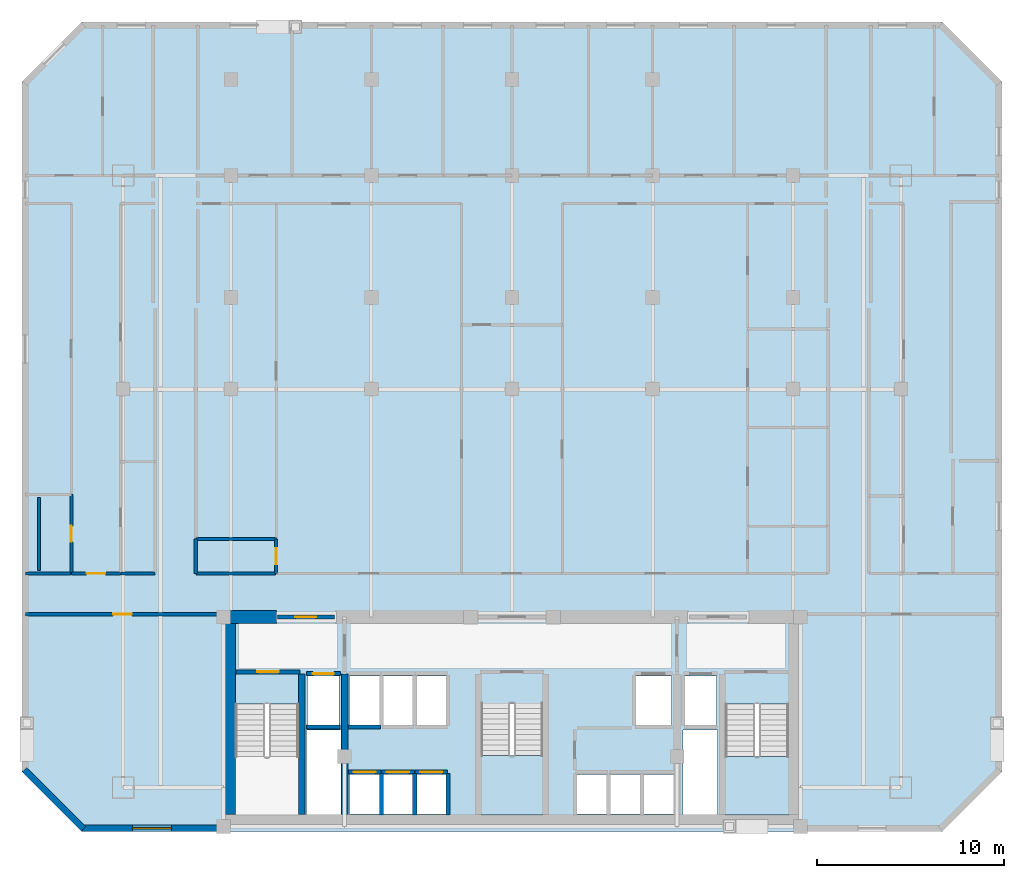
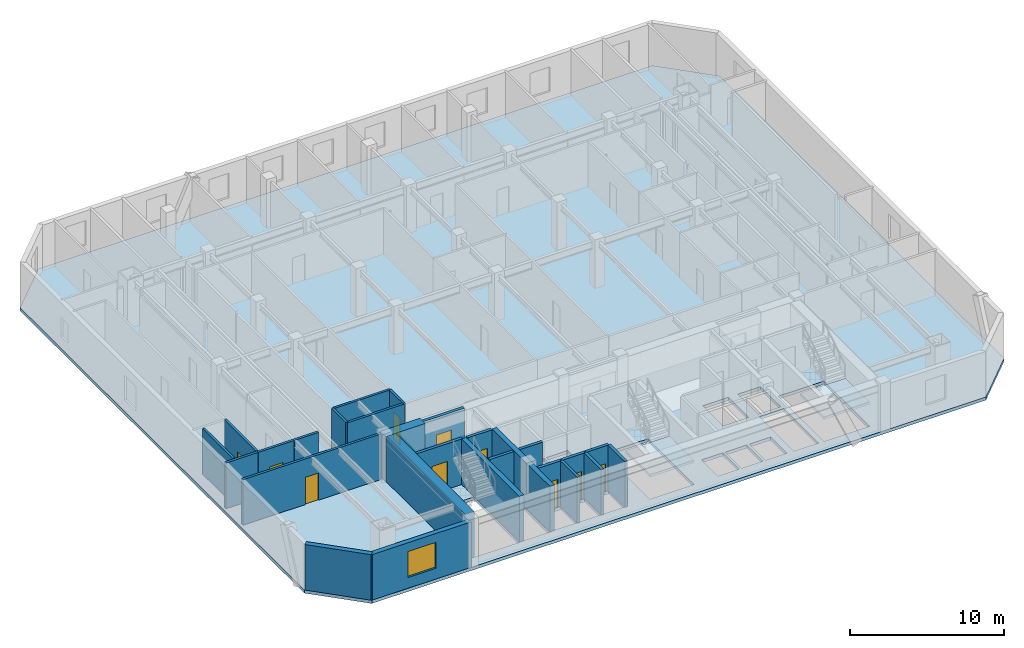
# One storey, part 2 of 8: 27 walls, 10 doors, 3 slabs, 1 window, 11 openings, 2 elements without a shape of their own.
"""IFC4 building model written with IfcOpenShell, lengths in metres."""

from ifc_helpers import new_model, si_unit, direction, frame, frame_2d, origin, place, context, subcontext, project, spatial, polyline, rectangle, outline, extrude, material, layer, layer_set, type_object, element, fill, aggregate, save


model = new_model("IFC4")

# Units and contexts
model_context = context("Model", 3, precision=1e-05, world=origin(), true_north=direction((0.0, 1.0)))
body_context = subcontext(model_context, "Body", "Model", "MODEL_VIEW")
ifc_project = project(units=[si_unit("LENGTHUNIT", "METRE"), si_unit("AREAUNIT", "SQUARE_METRE"), si_unit("VOLUMEUNIT", "CUBIC_METRE"), si_unit("PLANEANGLEUNIT", "RADIAN"), si_unit("MASSUNIT", "GRAM", prefix="KILO")], contexts=[model_context])

# Site, building, storey
site_placement = place(None, origin())
site = spatial("IfcSite", under=ifc_project, at=site_placement, CompositionType="ELEMENT")
building_placement = place(site_placement, origin())
building = spatial("IfcBuilding", under=site, at=building_placement, Name="Ventersveld Concourse Tower", CompositionType="ELEMENT")
storey_placement = place(building_placement, frame((0.0, 0.0, 127.25)))
storey = spatial("IfcBuildingStorey", under=building, at=storey_placement, Name="L31", CompositionType="ELEMENT", Elevation=127.25)

# Slab
ifc_material_1 = material(Name="Concrete C50/60", Category="concrete")
ifc_layer_1 = layer(ifc_material_1, 0.25)
ifc_layer_set_1 = layer_set([ifc_layer_1], Name="Concrete C50/60")
slab_type_1 = type_object("IfcSlabType", Name="SL-FLR-250", PredefinedType="FLOOR", material=ifc_layer_set_1)
slab_1_placement = place(storey_placement, frame((0.0, 0.0, -0.25)))
element("IfcSlab", 1, at=slab_1_placement, inside=storey, type_object=slab_type_1, Name="L31 Composite Floor Slab", PredefinedType="FLOOR", context=body_context, shape_type="SweptSolid", body=[
    extrude(outline(polyline([(5.800048828125, 0.0), (51.699951171875, 0.0), (54.89990234375, 3.199951171875), (54.89990234375, 40.0), (51.699951171875, 43.199951171875), (5.800048828125, 43.199951171875), (2.60009765625, 40.0), (2.60009765625, 3.199951171875), (5.800048828125, 0.0)]), holes=[polyline([(13.97998046875, 6.794921875), (13.97998046875, 0.89990234375), (17.3798828125, 0.89990234375), (17.3798828125, 6.794921875), (13.97998046875, 6.794921875)]), polyline([(40.1201171875, 6.794921875), (40.1201171875, 0.89990234375), (43.52001953125, 0.89990234375), (43.52001953125, 6.794921875), (40.1201171875, 6.794921875)]), polyline([(27.10009765625, 6.844970703125), (27.10009765625, 0.89990234375), (30.39990234375, 0.89990234375), (30.39990234375, 6.844970703125), (27.10009765625, 6.844970703125)]), polyline([(17.85009765625, 5.699951171875), (19.530029296875, 5.699951171875), (19.530029296875, 8.300048828125), (17.85009765625, 8.300048828125), (17.85009765625, 5.699951171875)]), polyline([(37.969970703125, 5.699951171875), (39.64990234375, 5.699951171875), (39.64990234375, 8.300048828125), (37.969970703125, 8.300048828125), (37.969970703125, 5.699951171875)]), polyline([(35.35009765625, 5.699951171875), (37.25, 5.699951171875), (37.25, 8.300048828125), (35.35009765625, 8.300048828125), (35.35009765625, 5.699951171875)]), polyline([(20.090087890625, 0.949951171875), (21.68994140625, 0.949951171875), (21.68994140625, 3.050048828125), (20.090087890625, 3.050048828125), (20.090087890625, 0.949951171875)]), polyline([(21.8701171875, 0.949951171875), (23.469970703125, 0.949951171875), (23.469970703125, 3.050048828125), (21.8701171875, 3.050048828125), (21.8701171875, 0.949951171875)]), polyline([(23.64990234375, 0.949951171875), (25.25, 0.949951171875), (25.25, 3.050048828125), (23.64990234375, 3.050048828125), (23.64990234375, 0.949951171875)]), polyline([(32.2099609375, 0.949951171875), (33.81005859375, 0.949951171875), (33.81005859375, 3.050048828125), (32.2099609375, 3.050048828125), (32.2099609375, 0.949951171875)]), polyline([(33.989990234375, 0.949951171875), (35.590087890625, 0.949951171875), (35.590087890625, 3.050048828125), (33.989990234375, 3.050048828125), (33.989990234375, 0.949951171875)]), polyline([(35.77001953125, 0.949951171875), (37.3701171875, 0.949951171875), (37.3701171875, 3.050048828125), (35.77001953125, 3.050048828125), (35.77001953125, 0.949951171875)]), polyline([(20.090087890625, 5.699951171875), (21.68994140625, 5.699951171875), (21.68994140625, 8.300048828125), (20.090087890625, 8.300048828125), (20.090087890625, 5.699951171875)]), polyline([(21.8701171875, 5.699951171875), (23.469970703125, 5.699951171875), (23.469970703125, 8.300048828125), (21.8701171875, 8.300048828125), (21.8701171875, 5.699951171875)]), polyline([(23.64990234375, 5.699951171875), (25.25, 5.699951171875), (25.25, 8.300048828125), (23.64990234375, 8.300048828125), (23.64990234375, 5.699951171875)]), polyline([(17.780029296875, 0.919921875), (19.6201171875, 0.919921875), (19.6201171875, 5.419921875), (17.780029296875, 5.419921875), (17.780029296875, 0.919921875)]), polyline([(37.8798828125, 0.919921875), (39.719970703125, 0.919921875), (39.719970703125, 5.419921875), (37.8798828125, 5.419921875), (37.8798828125, 0.919921875)])]), origin(), (0.0, 0.0, 1.0), 0.25),
])

# Stair, slab
stair_type_1 = type_object("IfcStairType", Name="ST-DOG-160", PredefinedType="HALF_TURN_STAIR", material=ifc_material_1)
stair_1_placement = place(storey_placement, origin())
stair_1 = element("IfcStair", 2, at=stair_1_placement, inside=storey, type_object=stair_type_1, Name="L31 Protected Tower Escape Stair ST-02", PredefinedType="HALF_TURN_STAIR")
ifc_layer_2 = layer(ifc_material_1, 0.199951171875)
ifc_layer_set_2 = layer_set([ifc_layer_2], Name="Concrete C50/60")
slab_type_2 = type_object("IfcSlabType", Name="SL-LND-200", PredefinedType="LANDING", material=ifc_layer_set_2)
slab_2_placement = place(storey_placement, frame((0.0, 0.0, 1.72509765625)))
slab_2 = element("IfcSlab", 3, at=slab_2_placement, type_object=slab_type_2, Name="ST-02 landing 1", PredefinedType="LANDING", context=body_context, shape_type="SweptSolid", body=[
    extrude(outline(polyline([(40.1201171875, 4.0), (40.1201171875, 0.89990234375), (43.52001953125, 0.89990234375), (43.52001953125, 4.0), (40.1201171875, 4.0)])), origin(), (0.0, 0.0, 1.0), 0.199951171875),
])
aggregate(stair_1, [slab_2])

stair_type_2 = type_object("IfcStairType", Name="ST-DOG-155", PredefinedType="HALF_TURN_STAIR", material=ifc_material_1)
stair_2_placement = place(storey_placement, origin())
stair_2 = element("IfcStair", 4, at=stair_2_placement, inside=storey, type_object=stair_type_2, Name="L31 Protected Central Core Escape Stair ST-03", PredefinedType="HALF_TURN_STAIR")
slab_3_placement = place(storey_placement, frame((0.0, 0.0, 1.72509765625)))
slab_3 = element("IfcSlab", 5, at=slab_3_placement, type_object=slab_type_2, Name="ST-03 landing 1", PredefinedType="LANDING", context=body_context, shape_type="SweptSolid", body=[
    extrude(outline(polyline([(27.10009765625, 4.050048828125), (27.10009765625, 0.89990234375), (30.39990234375, 0.89990234375), (30.39990234375, 4.050048828125), (27.10009765625, 4.050048828125)])), origin(), (0.0, 0.0, 1.0), 0.199951171875),
])
aggregate(stair_2, [slab_3])

# Walls
ifc_material_2 = material(Name="Concrete C60/75", Category="concrete")
ifc_layer_3 = layer(ifc_material_2, 0.35009765625)
ifc_layer_set_3 = layer_set([ifc_layer_3], Name="Concrete C60/75")
wall_type_1 = type_object("IfcWallType", Name="WL-CORE-350L", PredefinedType="SHEAR", material=ifc_layer_set_3)
for number, where, z_axis, x_axis, name in (
    (6, (17.5400390625, 0.919921875, 0.0), (0.0, 0.0, 1.0), (0.0, 1.0, 0.0), "L31 Core Internal Shear Web W-ST1-E"),
    (7, (19.820068359375, 0.919921875, 0.0), (0.0, 0.0, 1.0), (0.0, 1.0, 0.0), "L31 Core Internal Shear Web W-FF1-E"),
):
    element("IfcWall", number, at=place(storey_placement, frame(where, z_axis=z_axis, x_axis=x_axis)), inside=storey, type_object=wall_type_1, Name=name, PredefinedType="SHEAR", context=body_context, shape_type="SweptSolid", body=[
        extrude(rectangle(XDim=7.5, YDim=0.35009765625, at=frame_2d((3.75, 0.0))), origin(), (0.0, 0.0, 1.0), 3.60009765625),
    ])
ifc_layer_4 = layer(ifc_material_2, 0.699951171875)
ifc_layer_set_4 = layer_set([ifc_layer_4], Name="Concrete C60/75")
wall_type_2 = type_object("IfcWallType", Name="WL-CORE-700", PredefinedType="SHEAR", material=ifc_layer_set_4)
wall_1_placement = place(storey_placement, frame((13.64990234375, 0.919921875, 0.0), z_axis=(0.0, 0.0, 1.0), x_axis=(0.0, 1.0, 0.0)))
element("IfcWall", 8, at=wall_1_placement, inside=storey, type_object=wall_type_2, Name="L31 Rear Core West Shear Wall", PredefinedType="SHEAR", context=body_context, shape_type="SweptSolid", body=[
    extrude(rectangle(XDim=10.530029296875, YDim=0.699951171875, at=frame_2d((5.26513671875, 0.0))), origin(), (0.0, 0.0, 1.0), 3.60009765625),
])
wall_2_placement = place(storey_placement, frame((13.25, 11.449951171875, 0.0), z_axis=(0.0, 0.0, 1.0), x_axis=(1.0, 0.0, 0.0)))
element("IfcWall", 9, at=wall_2_placement, inside=storey, type_object=wall_type_2, Name="L31 Rear Core North Shear Wall NW", PredefinedType="SHEAR", context=body_context, shape_type="SweptSolid", body=[
    extrude(rectangle(XDim=2.949951171875, YDim=0.699951171875, at=frame_2d((1.47509765625, 0.0))), origin(), (0.0, 0.0, 1.0), 3.60009765625),
])

# Wall, opening, door
ifc_material_3 = material(Name="Fire-rated autoclaved aerated masonry blockwork", Category="masonry")
ifc_layer_5 = layer(ifc_material_3, 0.179931640625)
ifc_layer_set_5 = layer_set([ifc_layer_5], Name="Fire-rated autoclaved aerated masonry blockwork")
wall_type_3 = type_object("IfcWallType", Name="WL-CORR-180", PredefinedType="PARTITIONING", material=ifc_layer_set_5)
wall_3_placement = place(storey_placement, frame((2.81005859375, 11.60009765625, 0.0), z_axis=(0.0, 0.0, 1.0), x_axis=(1.0, 0.0, 0.0)))
wall_3 = element("IfcWall", 10, at=wall_3_placement, inside=storey, type_object=wall_type_3, Name="L31 Interior Partition SP-L31-SW-GAL-SP-L31-COR", PredefinedType="PARTITIONING", context=body_context, shape_type="SweptSolid", body=[
    extrude(rectangle(XDim=10.3349609375, YDim=0.179931640625, at=frame_2d((5.16748046875, 0.0))), origin(), (0.0, 0.0, 1.0), 3.60009765625),
])
opening_1_placement = place(wall_3_placement, frame((4.66748046875, 0.0, 0.0)))
opening_1 = element("IfcOpeningElement", 11, at=opening_1_placement, cuts=wall_3, Name="Opening FD3", PredefinedType="OPENING", context=body_context, shape_type="SweptSolid", body=[
    extrude(rectangle(XDim=1.0, YDim=2.14990234375, at=frame_2d((0.5, 1.074951171875))), frame((0.0, 0.10009765625, 0.0), z_axis=(0.0, -1.0, 0.0), x_axis=(1.0, 0.0, 0.0)), (0.0, 0.0, 1.0), 0.199951171875),
])
ifc_material_4 = material(Name="Solid-core hardwood veneer timber", Category="wood")
door_type_1 = type_object("IfcDoorType", Name="DR-FLAT-100", OperationType="NOTDEFINED", PredefinedType="DOOR", material=ifc_material_4)
door_1_placement = place(opening_1_placement, origin())
door_1 = element("IfcDoor", 12, at=door_1_placement, inside=storey, type_object=door_type_1, Name="L31 Interior Door SP-L31-SW-GAL to SP-L31-COR (D-L31-1543)", OperationType="SINGLE_SWING_LEFT", OverallHeight=2.14990234375, OverallWidth=1.0, PredefinedType="DOOR", context=body_context, shape_type="SweptSolid", body=[
    extrude(rectangle(XDim=1.0, YDim=2.14990234375, at=frame_2d((0.5, 1.074951171875))), frame((0.0, 0.02490234375, 0.0), z_axis=(0.0, -1.0, 0.0), x_axis=(1.0, 0.0, 0.0)), (0.0, 0.0, 1.0), 0.050048828125),
])
fill(opening_1, door_1)

wall_4_placement = place(storey_placement, frame((5.2392578125, 13.77001953125, 0.0), z_axis=(0.0, 0.0, 1.0), x_axis=(1.0, 0.0, 0.0)))
wall_4 = element("IfcWall", 13, at=wall_4_placement, inside=storey, type_object=wall_type_3, Name="L31 Interior Partition SP-L31-COR-SP-L31-31NW-LIV", PredefinedType="PARTITIONING", context=body_context, shape_type="SweptSolid", body=[
    extrude(rectangle(XDim=2.635986328125, YDim=0.179931640625, at=frame_2d((1.31787109375, 0.0))), origin(), (0.0, 0.0, 1.0), 3.60009765625),
])
opening_2_placement = place(wall_4_placement, frame((0.818115234375, 0.0, 0.0)))
opening_2 = element("IfcOpeningElement", 14, at=opening_2_placement, cuts=wall_4, Name="Opening FD3", PredefinedType="OPENING", context=body_context, shape_type="SweptSolid", body=[
    extrude(rectangle(XDim=1.0, YDim=2.14990234375, at=frame_2d((0.5, 1.074951171875))), frame((0.0, 0.10009765625, 0.0), z_axis=(0.0, -1.0, 0.0), x_axis=(1.0, 0.0, 0.0)), (0.0, 0.0, 1.0), 0.199951171875),
])
door_2_placement = place(opening_2_placement, origin())
door_2 = element("IfcDoor", 15, at=door_2_placement, inside=storey, type_object=door_type_1, Name="L31 Interior Door SP-L31-COR to SP-L31-31NW-LIV (FD-L31-1545)", OperationType="SINGLE_SWING_LEFT", OverallHeight=2.14990234375, OverallWidth=1.0, PredefinedType="DOOR", context=body_context, shape_type="SweptSolid", body=[
    extrude(rectangle(XDim=1.0, YDim=2.14990234375, at=frame_2d((0.5, 1.074951171875))), frame((0.0, 0.02490234375, 0.0), z_axis=(0.0, -1.0, 0.0), x_axis=(1.0, 0.0, 0.0)), (0.0, 0.0, 1.0), 0.050048828125),
])
fill(opening_2, door_2)

# Walls
wall_5_placement = place(storey_placement, frame((2.81005859375, 13.77001953125, 0.0), z_axis=(0.0, 0.0, 1.0), x_axis=(1.0, 0.0, 0.0)))
element("IfcWall", 16, at=wall_5_placement, inside=storey, type_object=wall_type_3, Name="L31 Interior Partition SP-L31-COR-SP-L31-31NW-BATH", PredefinedType="PARTITIONING", context=body_context, shape_type="SweptSolid", body=[
    extrude(rectangle(XDim=2.399169921875, YDim=0.179931640625, at=frame_2d((1.19970703125, 0.0))), origin(), (0.0, 0.0, 1.0), 3.60009765625),
])
wall_6_placement = place(storey_placement, frame((7.9052734375, 13.77001953125, 0.0), z_axis=(0.0, 0.0, 1.0), x_axis=(1.0, 0.0, 0.0)))
element("IfcWall", 17, at=wall_6_placement, inside=storey, type_object=wall_type_3, Name="L31 Interior Partition SP-L31-COR-SP-L31-31NW-KIT", PredefinedType="PARTITIONING", context=body_context, shape_type="SweptSolid", body=[
    extrude(rectangle(XDim=1.809814453125, YDim=0.179931640625, at=frame_2d((0.90478515625, 0.0))), origin(), (0.0, 0.0, 1.0), 3.60009765625),
])
wall_7_placement = place(storey_placement, frame((11.885009765625, 13.77001953125, 0.0), z_axis=(0.0, 0.0, 1.0), x_axis=(1.0, 0.0, 0.0)))
element("IfcWall", 18, at=wall_7_placement, inside=storey, type_object=wall_type_3, Name="L31 Interior Partition SP-L31-COR-SP-L31-31N1-BATH", PredefinedType="PARTITIONING", context=body_context, shape_type="SweptSolid", body=[
    extrude(rectangle(XDim=4.25, YDim=0.179931640625, at=frame_2d((2.125, 0.0))), origin(), (0.0, 0.0, 1.0), 3.60009765625),
])
wall_8_placement = place(storey_placement, frame((11.889892578125, 13.764892578125, 0.0), z_axis=(0.0, 0.0, 1.0), x_axis=(0.0, 1.0, 0.0)))
element("IfcWall", 19, at=wall_8_placement, inside=storey, type_object=wall_type_3, Name="L31 Interior Partition SP-L31-COR-SP-L31-31N1-BATH", PredefinedType="PARTITIONING", context=body_context, shape_type="SweptSolid", body=[
    extrude(rectangle(XDim=1.840087890625, YDim=0.179931640625, at=frame_2d((0.919921875, 0.0))), origin(), (0.0, 0.0, 1.0), 3.60009765625),
])
ifc_layer_6 = layer(ifc_material_3, 0.219970703125)
ifc_layer_set_6 = layer_set([ifc_layer_6], Name="Fire-rated autoclaved aerated masonry blockwork")
wall_type_4 = type_object("IfcWallType", Name="WL-HOIST-220", PredefinedType="SOLIDWALL", material=ifc_layer_set_6)
wall_9_placement = place(storey_placement, frame((17.800048828125, 5.590087890625, 0.0), z_axis=(0.0, 0.0, 1.0), x_axis=(1.0, 0.0, 0.0)))
element("IfcWall", 20, at=wall_9_placement, inside=storey, type_object=wall_type_4, Name="L31 Lift Hoistway Back Wall FFL-01", PredefinedType="SOLIDWALL", context=body_context, shape_type="SweptSolid", body=[
    extrude(rectangle(XDim=1.780029296875, YDim=0.219970703125, at=frame_2d((0.89013671875, 0.0))), origin(), (0.0, 0.0, 1.0), 3.60009765625),
])

# Wall, opening, door
wall_10_placement = place(storey_placement, frame((17.780029296875, 8.429931640625, 0.0), z_axis=(0.0, 0.0, 1.0), x_axis=(1.0, 0.0, 0.0)))
wall_10 = element("IfcWall", 21, at=wall_10_placement, inside=storey, type_object=wall_type_4, Name="L31 Lift Hoistway Front Wall FFL-01", PredefinedType="SOLIDWALL", context=body_context, shape_type="SweptSolid", body=[
    extrude(rectangle(XDim=1.820068359375, YDim=0.219970703125, at=frame_2d((0.91015625, 0.0))), origin(), (0.0, 0.0, 1.0), 3.60009765625),
])
opening_3_placement = place(wall_10_placement, frame((0.35009765625, 0.0, 0.0)))
opening_3 = element("IfcOpeningElement", 22, at=opening_3_placement, cuts=wall_10, Name="Opening LD1", PredefinedType="OPENING", context=body_context, shape_type="SweptSolid", body=[
    extrude(rectangle(XDim=1.1201171875, YDim=2.25, at=frame_2d((0.56005859375, 1.125))), frame((0.0, 0.1201171875, 0.0), z_axis=(0.0, -1.0, 0.0), x_axis=(1.0, 0.0, 0.0)), (0.0, 0.0, 1.0), 0.239990234375),
])
ifc_material_5 = material(Name="Brushed stainless steel 316", Category="steel")
door_type_2 = type_object("IfcDoorType", Name="LD-FF-112", OperationType="SLIDING_TO_LEFT", PredefinedType="DOOR", material=ifc_material_5)
door_3_placement = place(opening_3_placement, origin())
door_3 = element("IfcDoor", 23, at=door_3_placement, inside=storey, type_object=door_type_2, Name="L31 Lift landing door FFL-01 (LD-L31-FFL-01)", OperationType="SLIDING_TO_LEFT", OverallHeight=2.25, OverallWidth=1.1201171875, PredefinedType="DOOR", context=body_context, shape_type="SweptSolid", body=[
    extrude(rectangle(XDim=1.1201171875, YDim=2.25, at=frame_2d((0.56005859375, 1.125))), frame((0.0, 0.02490234375, 0.0), z_axis=(0.0, -1.0, 0.0), x_axis=(1.0, 0.0, 0.0)), (0.0, 0.0, 1.0), 0.050048828125),
])
fill(opening_3, door_3)

# Wall
wall_11_placement = place(storey_placement, frame((21.780029296875, 0.89990234375, 0.0), z_axis=(0.0, 0.0, 1.0), x_axis=(0.0, 1.0, 0.0)))
element("IfcWall", 24, at=wall_11_placement, inside=storey, type_object=wall_type_4, Name="L31 Lift Hoistway Side Wall PL-01E", PredefinedType="SOLIDWALL", context=body_context, shape_type="SweptSolid", body=[
    extrude(rectangle(XDim=2.2001953125, YDim=0.219970703125, at=frame_2d((1.10009765625, 0.0))), origin(), (0.0, 0.0, 1.0), 3.60009765625),
])

# Wall, opening, door
wall_12_placement = place(storey_placement, frame((20.02001953125, 3.179931640625, 0.0), z_axis=(0.0, 0.0, 1.0), x_axis=(1.0, 0.0, 0.0)))
wall_12 = element("IfcWall", 25, at=wall_12_placement, inside=storey, type_object=wall_type_4, Name="L31 Lift Hoistway Front Wall PL-01", PredefinedType="SOLIDWALL", context=body_context, shape_type="SweptSolid", body=[
    extrude(rectangle(XDim=1.739990234375, YDim=0.219970703125, at=frame_2d((0.8701171875, 0.0))), origin(), (0.0, 0.0, 1.0), 3.60009765625),
])
opening_4_placement = place(wall_12_placement, frame((0.280029296875, 0.0, 0.0)))
opening_4 = element("IfcOpeningElement", 26, at=opening_4_placement, cuts=wall_12, Name="Opening LD2", PredefinedType="OPENING", context=body_context, shape_type="SweptSolid", body=[
    extrude(rectangle(XDim=1.179931640625, YDim=2.199951171875, at=frame_2d((0.58984375, 1.10009765625))), frame((0.0, 0.1201171875, 0.0), z_axis=(0.0, -1.0, 0.0), x_axis=(1.0, 0.0, 0.0)), (0.0, 0.0, 1.0), 0.239990234375),
])
door_type_3 = type_object("IfcDoorType", Name="LD-PAX-118", OperationType="SLIDING_TO_LEFT", PredefinedType="DOOR", material=ifc_material_5)
door_4_placement = place(opening_4_placement, origin())
door_4 = element("IfcDoor", 27, at=door_4_placement, inside=storey, type_object=door_type_3, Name="L31 Lift landing door PL-01 (LD-L31-PL-01)", OperationType="SLIDING_TO_RIGHT", OverallHeight=2.199951171875, OverallWidth=1.179931640625, PredefinedType="DOOR", context=body_context, shape_type="SweptSolid", body=[
    extrude(rectangle(XDim=1.179931640625, YDim=2.199951171875, at=frame_2d((0.58984375, 1.10009765625))), frame((0.0, 0.02490234375, 0.0), z_axis=(0.0, -1.0, 0.0), x_axis=(1.0, 0.0, 0.0)), (0.0, 0.0, 1.0), 0.050048828125),
])
fill(opening_4, door_4)

# Wall
wall_13_placement = place(storey_placement, frame((23.56005859375, 0.89990234375, 0.0), z_axis=(0.0, 0.0, 1.0), x_axis=(0.0, 1.0, 0.0)))
element("IfcWall", 28, at=wall_13_placement, inside=storey, type_object=wall_type_4, Name="L31 Lift Hoistway Side Wall PL-02E", PredefinedType="SOLIDWALL", context=body_context, shape_type="SweptSolid", body=[
    extrude(rectangle(XDim=2.2001953125, YDim=0.219970703125, at=frame_2d((1.10009765625, 0.0))), origin(), (0.0, 0.0, 1.0), 3.60009765625),
])

# Wall, opening, door
wall_14_placement = place(storey_placement, frame((21.800048828125, 3.179931640625, 0.0), z_axis=(0.0, 0.0, 1.0), x_axis=(1.0, 0.0, 0.0)))
wall_14 = element("IfcWall", 29, at=wall_14_placement, inside=storey, type_object=wall_type_4, Name="L31 Lift Hoistway Front Wall PL-02", PredefinedType="SOLIDWALL", context=body_context, shape_type="SweptSolid", body=[
    extrude(rectangle(XDim=1.739990234375, YDim=0.219970703125, at=frame_2d((0.8701171875, 0.0))), origin(), (0.0, 0.0, 1.0), 3.60009765625),
])
opening_5_placement = place(wall_14_placement, frame((0.280029296875, 0.0, 0.0)))
opening_5 = element("IfcOpeningElement", 30, at=opening_5_placement, cuts=wall_14, Name="Opening LD2", PredefinedType="OPENING", context=body_context, shape_type="SweptSolid", body=[
    extrude(rectangle(XDim=1.179931640625, YDim=2.199951171875, at=frame_2d((0.58984375, 1.10009765625))), frame((0.0, 0.1201171875, 0.0), z_axis=(0.0, -1.0, 0.0), x_axis=(1.0, 0.0, 0.0)), (0.0, 0.0, 1.0), 0.239990234375),
])
door_5_placement = place(opening_5_placement, origin())
door_5 = element("IfcDoor", 31, at=door_5_placement, inside=storey, type_object=door_type_3, Name="L31 Lift landing door PL-02 (LD-L31-PL-02)", OperationType="SLIDING_TO_LEFT", OverallHeight=2.199951171875, OverallWidth=1.179931640625, PredefinedType="DOOR", context=body_context, shape_type="SweptSolid", body=[
    extrude(rectangle(XDim=1.179931640625, YDim=2.199951171875, at=frame_2d((0.58984375, 1.10009765625))), frame((0.0, 0.02490234375, 0.0), z_axis=(0.0, -1.0, 0.0), x_axis=(1.0, 0.0, 0.0)), (0.0, 0.0, 1.0), 0.050048828125),
])
fill(opening_5, door_5)

# Wall
wall_15_placement = place(storey_placement, frame((25.340087890625, 0.89990234375, 0.0), z_axis=(0.0, 0.0, 1.0), x_axis=(0.0, 1.0, 0.0)))
element("IfcWall", 32, at=wall_15_placement, inside=storey, type_object=wall_type_4, Name="L31 Lift Hoistway Side Wall PL-03E", PredefinedType="SOLIDWALL", context=body_context, shape_type="SweptSolid", body=[
    extrude(rectangle(XDim=2.2001953125, YDim=0.219970703125, at=frame_2d((1.10009765625, 0.0))), origin(), (0.0, 0.0, 1.0), 3.60009765625),
])

# Wall, opening, door
wall_16_placement = place(storey_placement, frame((23.580078125, 3.179931640625, 0.0), z_axis=(0.0, 0.0, 1.0), x_axis=(1.0, 0.0, 0.0)))
wall_16 = element("IfcWall", 33, at=wall_16_placement, inside=storey, type_object=wall_type_4, Name="L31 Lift Hoistway Front Wall PL-03", PredefinedType="SOLIDWALL", context=body_context, shape_type="SweptSolid", body=[
    extrude(rectangle(XDim=1.739990234375, YDim=0.219970703125, at=frame_2d((0.8701171875, 0.0))), origin(), (0.0, 0.0, 1.0), 3.60009765625),
])
opening_6_placement = place(wall_16_placement, frame((0.280029296875, 0.0, 0.0)))
opening_6 = element("IfcOpeningElement", 34, at=opening_6_placement, cuts=wall_16, Name="Opening LD2", PredefinedType="OPENING", context=body_context, shape_type="SweptSolid", body=[
    extrude(rectangle(XDim=1.179931640625, YDim=2.199951171875, at=frame_2d((0.58984375, 1.10009765625))), frame((0.0, 0.1201171875, 0.0), z_axis=(0.0, -1.0, 0.0), x_axis=(1.0, 0.0, 0.0)), (0.0, 0.0, 1.0), 0.239990234375),
])
door_6_placement = place(opening_6_placement, origin())
door_6 = element("IfcDoor", 35, at=door_6_placement, inside=storey, type_object=door_type_3, Name="L31 Lift landing door PL-03 (LD-L31-PL-03)", OperationType="SLIDING_TO_RIGHT", OverallHeight=2.199951171875, OverallWidth=1.179931640625, PredefinedType="DOOR", context=body_context, shape_type="SweptSolid", body=[
    extrude(rectangle(XDim=1.179931640625, YDim=2.199951171875, at=frame_2d((0.58984375, 1.10009765625))), frame((0.0, 0.02490234375, 0.0), z_axis=(0.0, -1.0, 0.0), x_axis=(1.0, 0.0, 0.0)), (0.0, 0.0, 1.0), 0.050048828125),
])
fill(opening_6, door_6)

# Wall
wall_17_placement = place(storey_placement, frame((20.0400390625, 5.590087890625, 0.0), z_axis=(0.0, 0.0, 1.0), x_axis=(1.0, 0.0, 0.0)))
element("IfcWall", 36, at=wall_17_placement, inside=storey, type_object=wall_type_4, Name="L31 Lift Hoistway Back Wall PH-01", PredefinedType="SOLIDWALL", context=body_context, shape_type="SweptSolid", body=[
    extrude(rectangle(XDim=1.699951171875, YDim=0.219970703125, at=frame_2d((0.85009765625, 0.0))), origin(), (0.0, 0.0, 1.0), 3.60009765625),
])

# Wall, opening, door
wall_18_placement = place(storey_placement, frame((14.0400390625, 8.52001953125, 0.0), z_axis=(0.0, 0.0, 1.0), x_axis=(1.0, 0.0, 0.0)))
wall_18 = element("IfcWall", 37, at=wall_18_placement, inside=storey, type_object=wall_type_4, Name="L31 Escape Stair ST01 Fire Wall", PredefinedType="SOLIDWALL", context=body_context, shape_type="SweptSolid", body=[
    extrude(rectangle(XDim=3.39990234375, YDim=0.219970703125, at=frame_2d((1.699951171875, 0.0))), origin(), (0.0, 0.0, 1.0), 3.60009765625),
])
opening_7_placement = place(wall_18_placement, frame((1.125, 0.0, 0.0)))
opening_7 = element("IfcOpeningElement", 38, at=opening_7_placement, cuts=wall_18, Name="Opening FD1", PredefinedType="OPENING", context=body_context, shape_type="SweptSolid", body=[
    extrude(rectangle(XDim=1.14990234375, YDim=2.199951171875, at=frame_2d((0.574951171875, 1.10009765625))), frame((0.0, 0.1201171875, 0.0), z_axis=(0.0, -1.0, 0.0), x_axis=(1.0, 0.0, 0.0)), (0.0, 0.0, 1.0), 0.239990234375),
])
ifc_material_6 = material(Name="Galvanised painted steel", Category="steel")
door_type_4 = type_object("IfcDoorType", Name="DR-STAIR-115", OperationType="NOTDEFINED", PredefinedType="DOOR", material=ifc_material_6)
door_7_placement = place(opening_7_placement, origin())
door_7 = element("IfcDoor", 39, at=door_7_placement, inside=storey, type_object=door_type_4, Name="L31 Escape Stair Door ST01 (SD-L31-1534)", OperationType="SINGLE_SWING_LEFT", OverallHeight=2.199951171875, OverallWidth=1.14990234375, PredefinedType="DOOR", context=body_context, shape_type="SweptSolid", body=[
    extrude(rectangle(XDim=1.14990234375, YDim=2.199951171875, at=frame_2d((0.574951171875, 1.10009765625))), frame((0.0, 0.02490234375, 0.0), z_axis=(0.0, -1.0, 0.0), x_axis=(1.0, 0.0, 0.0)), (0.0, 0.0, 1.0), 0.050048828125),
])
fill(opening_7, door_7)

wall_19_placement = place(storey_placement, frame((16.22998046875, 11.449951171875, 0.0), z_axis=(0.0, 0.0, 1.0), x_axis=(1.0, 0.0, 0.0)))
wall_19 = element("IfcWall", 40, at=wall_19_placement, inside=storey, type_object=wall_type_4, Name="L31 Core North Fire Portal FFLW-OUT", PredefinedType="SOLIDWALL", context=body_context, shape_type="SweptSolid", body=[
    extrude(rectangle(XDim=3.0400390625, YDim=0.219970703125, at=frame_2d((1.52001953125, 0.0))), origin(), (0.0, 0.0, 1.0), 3.60009765625),
])
opening_8_placement = place(wall_19_placement, frame((0.969970703125, 0.0, 0.0)))
opening_8 = element("IfcOpeningElement", 41, at=opening_8_placement, cuts=wall_19, Name="Opening FD2", PredefinedType="OPENING", context=body_context, shape_type="SweptSolid", body=[
    extrude(rectangle(XDim=1.10009765625, YDim=2.199951171875, at=frame_2d((0.550048828125, 1.10009765625))), frame((0.0, 0.1201171875, 0.0), z_axis=(0.0, -1.0, 0.0), x_axis=(1.0, 0.0, 0.0)), (0.0, 0.0, 1.0), 0.239990234375),
])
door_type_5 = type_object("IfcDoorType", Name="DR-FFL-110", OperationType="NOTDEFINED", PredefinedType="DOOR", material=ifc_material_6)
door_8_placement = place(opening_8_placement, origin())
door_8 = element("IfcDoor", 42, at=door_8_placement, inside=storey, type_object=door_type_5, Name="L31 Core Lobby Fire Door FFLW-OUT (FD-L31-1539)", OperationType="SINGLE_SWING_RIGHT", OverallHeight=2.199951171875, OverallWidth=1.10009765625, PredefinedType="DOOR", context=body_context, shape_type="SweptSolid", body=[
    extrude(rectangle(XDim=1.10009765625, YDim=2.199951171875, at=frame_2d((0.550048828125, 1.10009765625))), frame((0.0, 0.02490234375, 0.0), z_axis=(0.0, -1.0, 0.0), x_axis=(1.0, 0.0, 0.0)), (0.0, 0.0, 1.0), 0.050048828125),
])
fill(opening_8, door_8)

# Wall, opening, window
ifc_material_7 = material(Name="Precast concrete C45/55", Category="concrete")
ifc_layer_7 = layer(ifc_material_7, 0.35009765625)
ifc_layer_set_7 = layer_set([ifc_layer_7], Name="Precast concrete C45/55")
wall_type_5 = type_object("IfcWallType", Name="WL-PREC-350", PredefinedType="SOLIDWALL", material=ifc_layer_set_7)
wall_20_placement = place(storey_placement, frame((5.840087890625, 0.179931640625, 0.0), z_axis=(0.0, 0.0, 1.0), x_axis=(1.0, 0.0, 0.0)))
wall_20 = element("IfcWall", 43, at=wall_20_placement, inside=storey, type_object=wall_type_5, Name="L31 South-West Flank Precast Wall", PredefinedType="SOLIDWALL", context=body_context, shape_type="SweptSolid", body=[
    extrude(rectangle(XDim=7.409912109375, YDim=0.35009765625, at=frame_2d((3.705078125, 0.0))), origin(), (0.0, 0.0, 1.0), 3.60009765625),
])
opening_9_placement = place(wall_20_placement, frame((2.655029296875, 0.0, 0.85009765625)))
opening_9 = element("IfcOpeningElement", 44, at=opening_9_placement, cuts=wall_20, Name="Opening W7", PredefinedType="OPENING", context=body_context, shape_type="SweptSolid", body=[
    extrude(rectangle(XDim=2.10009765625, YDim=2.050048828125, at=frame_2d((1.050048828125, 1.02490234375))), frame((0.0, 0.18505859375, 0.0), z_axis=(0.0, -1.0, 0.0), x_axis=(1.0, 0.0, 0.0)), (0.0, 0.0, 1.0), 0.3701171875),
])
ifc_material_8 = material(Name="Tempered acoustic Low-E IGU", Category="glass")
window_type = type_object("IfcWindowType", Name="WIN-210x205", PartitioningType="SINGLE_PANEL", PredefinedType="WINDOW", material=ifc_material_8)
window_placement = place(opening_9_placement, origin())
window = element("IfcWindow", 45, at=window_placement, inside=storey, type_object=window_type, Name="L31 Punched Low-E Window W-0395", OverallHeight=2.050048828125, OverallWidth=2.10009765625, PartitioningType="SINGLE_PANEL", PredefinedType="WINDOW", context=body_context, shape_type="SweptSolid", body=[
    extrude(rectangle(XDim=2.10009765625, YDim=2.050048828125, at=frame_2d((1.050048828125, 1.02490234375))), frame((0.0, 0.030029296875, 0.0), z_axis=(0.0, -1.0, 0.0), x_axis=(1.0, 0.0, 0.0)), (0.0, 0.0, 1.0), 0.06005859375),
])
fill(opening_9, window)

# Wall
wall_21_placement = place(storey_placement, frame((2.751953125, 3.29541015625, 0.0), z_axis=(0.0, 0.0, 1.0), x_axis=(0.707134240044, -0.707079321262, 0.0)))
element("IfcWall", 46, at=wall_21_placement, inside=storey, type_object=wall_type_5, Name="L31 Highveld Precast Facade Wall E08", PredefinedType="SOLIDWALL", context=body_context, shape_type="SweptSolid", body=[
    extrude(rectangle(XDim=4.445556640625, YDim=0.35009765625, at=frame_2d((2.22265625, 0.0))), origin(), (0.0, 0.0, 1.0), 3.60009765625),
])

# Wall, opening, door
ifc_material_9 = material(Name="Autoclaved aerated masonry blockwork", Category="masonry")
ifc_layer_8 = layer(ifc_material_9, 0.1650390625)
ifc_layer_set_8 = layer_set([ifc_layer_8], Name="Autoclaved aerated masonry blockwork")
wall_type_6 = type_object("IfcWallType", Name="WL-WET-165", PredefinedType="PLUMBINGWALL", material=ifc_layer_set_8)
wall_22_placement = place(storey_placement, frame((5.244384765625, 13.764892578125, 0.0), z_axis=(0.0, 0.0, 1.0), x_axis=(0.0, 1.0, 0.0)))
wall_22 = element("IfcWall", 47, at=wall_22_placement, inside=storey, type_object=wall_type_6, Name="L31 Interior Partition SP-L31-31NW-LIV-SP-L31-31NW-BATH", PredefinedType="PLUMBINGWALL", context=body_context, shape_type="SweptSolid", body=[
    extrude(rectangle(XDim=4.228515625, YDim=0.1650390625, at=frame_2d((2.1142578125, 0.0))), origin(), (0.0, 0.0, 1.0), 3.60009765625),
])
opening_10_placement = place(wall_22_placement, frame((1.689208984375, 0.0, 0.0)))
opening_10 = element("IfcOpeningElement", 48, at=opening_10_placement, cuts=wall_22, Name="Opening ID2", PredefinedType="OPENING", context=body_context, shape_type="SweptSolid", body=[
    extrude(rectangle(XDim=0.85009765625, YDim=2.10009765625, at=frame_2d((0.425048828125, 1.050048828125))), frame((0.0, 0.092529296875, 0.0), z_axis=(0.0, -1.0, 0.0), x_axis=(1.0, 0.0, 0.0)), (0.0, 0.0, 1.0), 0.18505859375),
])
door_type_6 = type_object("IfcDoorType", Name="DR-BATH-085", OperationType="NOTDEFINED", PredefinedType="DOOR", material=ifc_material_4)
door_9_placement = place(opening_10_placement, origin())
door_9 = element("IfcDoor", 49, at=door_9_placement, inside=storey, type_object=door_type_6, Name="L31 Interior Door SP-L31-31NW-LIV to SP-L31-31NW-BATH (D-L31-1550)", OperationType="SINGLE_SWING_RIGHT", OverallHeight=2.10009765625, OverallWidth=0.85009765625, PredefinedType="DOOR", context=body_context, shape_type="SweptSolid", body=[
    extrude(rectangle(XDim=0.85009765625, YDim=2.10009765625, at=frame_2d((0.425048828125, 1.050048828125))), frame((0.0, 0.02490234375, 0.0), z_axis=(0.0, -1.0, 0.0), x_axis=(1.0, 0.0, 0.0)), (0.0, 0.0, 1.0), 0.050048828125),
])
fill(opening_10, door_9)

wall_23_placement = place(storey_placement, frame((16.169921875, 13.764892578125, 0.0), z_axis=(0.0, 0.0, 1.0), x_axis=(0.0, 1.0, 0.0)))
wall_23 = element("IfcWall", 50, at=wall_23_placement, inside=storey, type_object=wall_type_6, Name="L31 Interior Partition SP-L31-31N1-WGAL1-SP-L31-31N1-BATH", PredefinedType="PLUMBINGWALL", context=body_context, shape_type="SweptSolid", body=[
    extrude(rectangle(XDim=1.840087890625, YDim=0.1650390625, at=frame_2d((0.919921875, 0.0))), origin(), (0.0, 0.0, 1.0), 3.60009765625),
])
opening_11_placement = place(wall_23_placement, frame((0.4951171875, 0.0, 0.0)))
opening_11 = element("IfcOpeningElement", 51, at=opening_11_placement, cuts=wall_23, Name="Opening ID2", PredefinedType="OPENING", context=body_context, shape_type="SweptSolid", body=[
    extrude(rectangle(XDim=0.85009765625, YDim=2.10009765625, at=frame_2d((0.425048828125, 1.050048828125))), frame((0.0, 0.092529296875, 0.0), z_axis=(0.0, -1.0, 0.0), x_axis=(1.0, 0.0, 0.0)), (0.0, 0.0, 1.0), 0.18505859375),
])
door_10_placement = place(opening_11_placement, origin())
door_10 = element("IfcDoor", 52, at=door_10_placement, inside=storey, type_object=door_type_6, Name="L31 Interior Door SP-L31-31N1-WGAL1 to SP-L31-31N1-BATH (D-L31-1563)", OperationType="SINGLE_SWING_LEFT", OverallHeight=2.10009765625, OverallWidth=0.85009765625, PredefinedType="DOOR", context=body_context, shape_type="SweptSolid", body=[
    extrude(rectangle(XDim=0.85009765625, YDim=2.10009765625, at=frame_2d((0.425048828125, 1.050048828125))), frame((0.0, 0.02490234375, 0.0), z_axis=(0.0, -1.0, 0.0), x_axis=(1.0, 0.0, 0.0)), (0.0, 0.0, 1.0), 0.050048828125),
])
fill(opening_11, door_10)

# Walls
wall_24_placement = place(storey_placement, frame((11.885009765625, 15.60009765625, 0.0), z_axis=(0.0, 0.0, 1.0), x_axis=(1.0, 0.0, 0.0)))
element("IfcWall", 53, at=wall_24_placement, inside=storey, type_object=wall_type_6, Name="L31 Interior Partition SP-L31-31N1-BATH-SP-L31-31N1-OFFL0", PredefinedType="PLUMBINGWALL", context=body_context, shape_type="SweptSolid", body=[
    extrude(rectangle(XDim=4.2900390625, YDim=0.1650390625, at=frame_2d((2.14501953125, 0.0))), origin(), (0.0, 0.0, 1.0), 3.60009765625),
])
wall_25_placement = place(storey_placement, frame((3.52001953125, 13.93505859375, 0.0), z_axis=(0.0, 0.0, 1.0), x_axis=(0.0, 1.0, 0.0)))
element("IfcWall", 54, at=wall_25_placement, inside=storey, type_object=wall_type_6, Name="L31 Room Enclosure Wall SP-L31-31NW-BATH", PredefinedType="PLUMBINGWALL", context=body_context, shape_type="SweptSolid", body=[
    extrude(rectangle(XDim=3.888427734375, YDim=0.1650390625, at=frame_2d((1.9443359375, 0.0))), origin(), (0.0, 0.0, 1.0), 3.60009765625),
])

save(model, "model.ifc")
